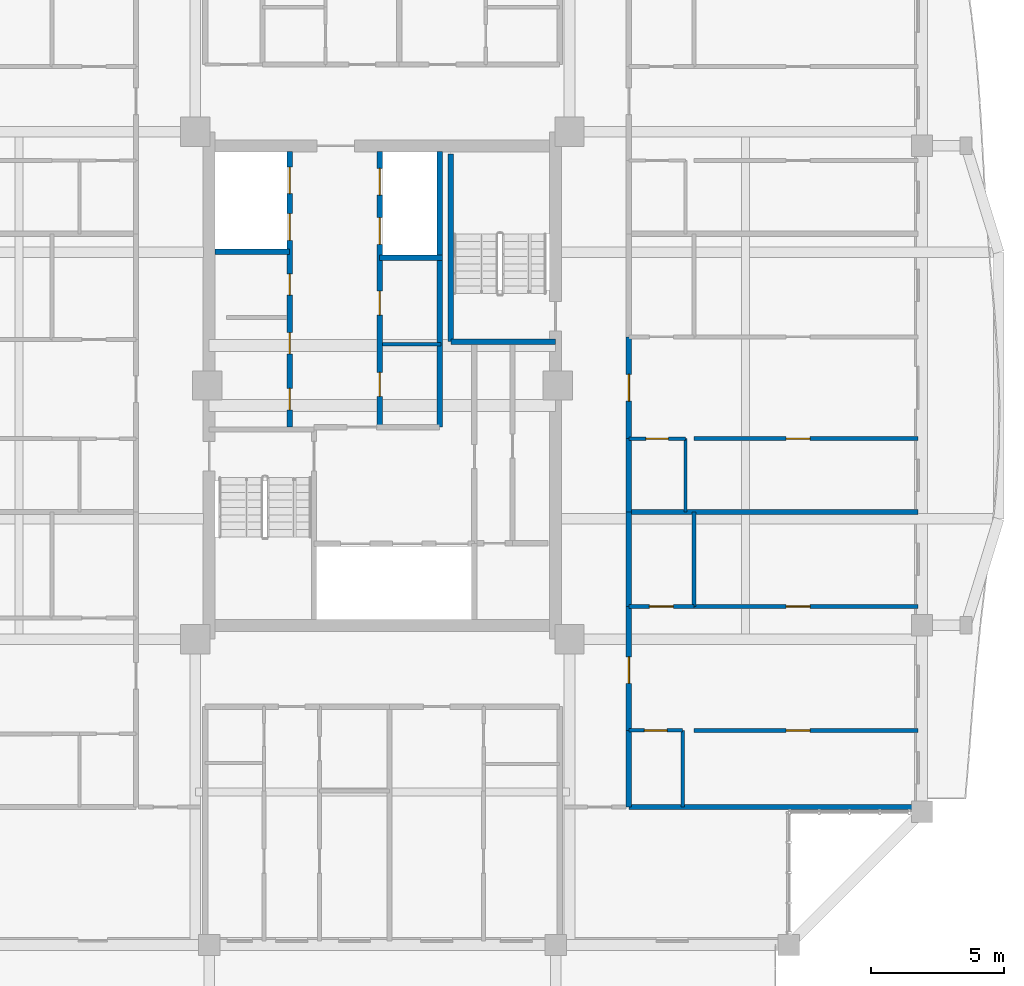
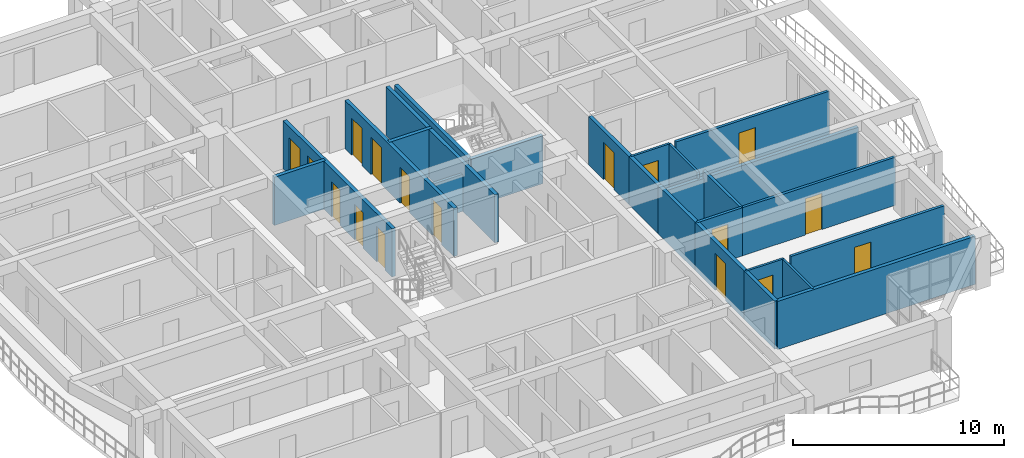
# One storey, part 13 of 22: 25 walls, 17 doors, 17 openings.
"""IFC4 building model written with IfcOpenShell, lengths in metres."""

from ifc_helpers import new_model, si_unit, direction, frame, frame_2d, origin, place, context, subcontext, project, spatial, rectangle, extrude, source, transform, mapped, material, layer, layer_set, type_object, element, fill, save


model = new_model("IFC4")

# Units and contexts
model_context = context("Model", 3, precision=1e-05, world=origin(), true_north=direction((0.0, 1.0)))
body_context = subcontext(model_context, "Body", "Model", "MODEL_VIEW")
ifc_project = project(units=[si_unit("LENGTHUNIT", "METRE"), si_unit("AREAUNIT", "SQUARE_METRE"), si_unit("VOLUMEUNIT", "CUBIC_METRE"), si_unit("PLANEANGLEUNIT", "RADIAN"), si_unit("MASSUNIT", "GRAM", prefix="KILO")], contexts=[model_context])

# Site, building, storey
site_placement = place(None, origin())
site = spatial("IfcSite", under=ifc_project, at=site_placement, CompositionType="ELEMENT")
building_placement = place(site_placement, origin())
building = spatial("IfcBuilding", under=site, at=building_placement, Name="Saelheon Loggia Tower", CompositionType="ELEMENT")
storey_placement = place(building_placement, frame((0.0, 0.0, 176.800048828125)))
storey = spatial("IfcBuildingStorey", under=building, at=storey_placement, Name="L55", CompositionType="ELEMENT", Elevation=176.800048828125)

# Walls
ifc_material_1 = material(Name="Lightweight Autoclaved Aerated Concrete Block and Acoustic Gypsum", Category="concrete")
ifc_layer_1 = layer(ifc_material_1, 0.14990234375)
ifc_layer_set_1 = layer_set([ifc_layer_1], Name="Lightweight Autoclaved Aerated Concrete Block and Acoustic Gypsum")
wall_type_1 = type_object("IfcWallType", Name="Wall_Part_150", PredefinedType="PARTITIONING", material=ifc_layer_set_1)
wall_1_placement = place(storey_placement, frame((38.0, 28.550048828125, 0.0), z_axis=(0.0, 0.0, 1.0), x_axis=(1.0, 0.0, 0.0)))
element("IfcWall", 1, at=wall_1_placement, inside=storey, type_object=wall_type_1, Name="L55 Freed Core Partition PM", PredefinedType="PARTITIONING", context=body_context, shape_type="SweptSolid", body=[
    extrude(rectangle(XDim=2.199951171875, YDim=0.14990234375, at=frame_2d((1.10009765625, 0.0))), origin(), (0.0, 0.0, 1.0), 2.139892578125),
])
wall_2_placement = place(storey_placement, frame((49.68994140625, 18.710205078125, 0.0), z_axis=(0.0, 0.0, 1.0), x_axis=(0.0, 1.0, 0.0)))
element("IfcWall", 2, at=wall_2_placement, inside=storey, type_object=wall_type_1, Name="L55 E Partition V07", PredefinedType="PARTITIONING", context=body_context, shape_type="SweptSolid", body=[
    extrude(rectangle(XDim=3.543701171875, YDim=0.14990234375, at=frame_2d((1.77197265625, 0.0))), origin(), (0.0, 0.0, 1.0), 2.7900390625),
])

# Wall, opening, door
wall_3_placement = place(storey_placement, frame((49.68994140625, 14.05908203125, 0.0), z_axis=(0.0, 0.0, 1.0), x_axis=(1.0, 0.0, 0.0)))
wall_3 = element("IfcWall", 3, at=wall_3_placement, inside=storey, type_object=wall_type_1, Name="L55 E Partition U09", PredefinedType="PARTITIONING", context=body_context, shape_type="SweptSolid", body=[
    extrude(rectangle(XDim=8.41015625, YDim=0.14990234375, at=frame_2d((4.205078125, 0.0))), origin(), (0.0, 0.0, 1.0), 2.7900390625),
])
opening_1_placement = place(wall_3_placement, frame((3.462158203125, 0.0, 0.0)))
opening_1 = element("IfcOpeningElement", 4, at=opening_1_placement, cuts=wall_3, Name="Opening D-IN2", PredefinedType="OPENING", context=body_context, shape_type="SweptSolid", body=[
    extrude(rectangle(XDim=0.89990234375, YDim=2.10009765625, at=frame_2d((0.449951171875, 1.050048828125))), frame((0.0, 0.0869140625, 0.0), z_axis=(0.0, -1.0, 0.0), x_axis=(1.0, 0.0, 0.0)), (0.0, 0.0, 1.0), 0.173828125),
])
ifc_material_2 = material(Name="Engineered Oak Flush Door", Category="timber")
door_type_1 = type_object("IfcDoorType", Name="Door_Int_900", OperationType="NOTDEFINED", PredefinedType="DOOR", material=ifc_material_2)
shared_shape_1 = source(origin(), body_context, "Body", "SweptSolid", [
    extrude(rectangle(XDim=0.89990234375, YDim=2.10009765625, at=frame_2d((0.449951171875, 1.050048828125))), frame((0.0, 0.02490234375, 0.0), z_axis=(0.0, -1.0, 0.0), x_axis=(1.0, 0.0, 0.0)), (0.0, 0.0, 1.0), 0.050048828125),
])
door_1_placement = place(opening_1_placement, origin())
door_1 = element("IfcDoor", 5, at=door_1_placement, inside=storey, type_object=door_type_1, Name="Unit U08 Bedroom 2 Door", OperationType="SINGLE_SWING_LEFT", OverallHeight=2.10009765625, OverallWidth=0.89990234375, PredefinedType="DOOR", context=body_context, shape_type="MappedRepresentation", body=[
    mapped(shared_shape_1, transform((0.0, 0.0, 0.0), scale=1.0)),
])
fill(opening_1, door_1)

wall_4_placement = place(storey_placement, frame((47.25, 18.710205078125, 0.0), z_axis=(0.0, 0.0, 1.0), x_axis=(1.0, 0.0, 0.0)))
wall_4 = element("IfcWall", 6, at=wall_4_placement, inside=storey, type_object=wall_type_1, Name="L55 E Partition U10", PredefinedType="PARTITIONING", context=body_context, shape_type="SweptSolid", body=[
    extrude(rectangle(XDim=2.43994140625, YDim=0.14990234375, at=frame_2d((1.219970703125, 0.0))), origin(), (0.0, 0.0, 1.0), 2.7900390625),
])
opening_2_placement = place(wall_4_placement, frame((0.77001953125, 0.0, 0.0)))
opening_2 = element("IfcOpeningElement", 7, at=opening_2_placement, cuts=wall_4, Name="Opening D-IN2", PredefinedType="OPENING", context=body_context, shape_type="SweptSolid", body=[
    extrude(rectangle(XDim=0.89990234375, YDim=2.10009765625, at=frame_2d((0.449951171875, 1.050048828125))), frame((0.0, 0.0869140625, 0.0), z_axis=(0.0, -1.0, 0.0), x_axis=(1.0, 0.0, 0.0)), (0.0, 0.0, 1.0), 0.173828125),
])
door_2_placement = place(opening_2_placement, origin())
door_2 = element("IfcDoor", 8, at=door_2_placement, inside=storey, type_object=door_type_1, Name="Unit U08 Kitchen Door", OperationType="SINGLE_SWING_RIGHT", OverallHeight=2.10009765625, OverallWidth=0.89990234375, PredefinedType="DOOR", context=body_context, shape_type="MappedRepresentation", body=[
    mapped(shared_shape_1, transform((0.0, 0.0, 0.0), scale=1.0)),
])
fill(opening_2, door_2)

wall_5_placement = place(storey_placement, frame((49.68994140625, 18.710205078125, 0.0), z_axis=(0.0, 0.0, 1.0), x_axis=(1.0, 0.0, 0.0)))
wall_5 = element("IfcWall", 9, at=wall_5_placement, inside=storey, type_object=wall_type_1, Name="L55 E Partition U11", PredefinedType="PARTITIONING", context=body_context, shape_type="SweptSolid", body=[
    extrude(rectangle(XDim=8.41015625, YDim=0.14990234375, at=frame_2d((4.205078125, 0.0))), origin(), (0.0, 0.0, 1.0), 2.7900390625),
])
opening_3_placement = place(wall_5_placement, frame((3.462158203125, 0.0, 0.0)))
opening_3 = element("IfcOpeningElement", 10, at=opening_3_placement, cuts=wall_5, Name="Opening D-IN2", PredefinedType="OPENING", context=body_context, shape_type="SweptSolid", body=[
    extrude(rectangle(XDim=0.89990234375, YDim=2.10009765625, at=frame_2d((0.449951171875, 1.050048828125))), frame((0.0, 0.0869140625, 0.0), z_axis=(0.0, -1.0, 0.0), x_axis=(1.0, 0.0, 0.0)), (0.0, 0.0, 1.0), 0.173828125),
])
door_3_placement = place(opening_3_placement, origin())
door_3 = element("IfcDoor", 11, at=door_3_placement, inside=storey, type_object=door_type_1, Name="Unit U08 Bedroom 1 Door", OperationType="SINGLE_SWING_LEFT", OverallHeight=2.10009765625, OverallWidth=0.89990234375, PredefinedType="DOOR", context=body_context, shape_type="MappedRepresentation", body=[
    mapped(shared_shape_1, transform((0.0, 0.0, 0.0), scale=1.0)),
])
fill(opening_3, door_3)

wall_6_placement = place(storey_placement, frame((49.68994140625, 25.00390625, 0.0), z_axis=(0.0, 0.0, 1.0), x_axis=(1.0, 0.0, 0.0)))
wall_6 = element("IfcWall", 12, at=wall_6_placement, inside=storey, type_object=wall_type_1, Name="L55 E Partition U19", PredefinedType="PARTITIONING", context=body_context, shape_type="SweptSolid", body=[
    extrude(rectangle(XDim=8.41015625, YDim=0.14990234375, at=frame_2d((4.205078125, 0.0))), origin(), (0.0, 0.0, 1.0), 2.7900390625),
])
opening_4_placement = place(wall_6_placement, frame((3.462158203125, 0.0, 0.0)))
opening_4 = element("IfcOpeningElement", 13, at=opening_4_placement, cuts=wall_6, Name="Opening D-IN2", PredefinedType="OPENING", context=body_context, shape_type="SweptSolid", body=[
    extrude(rectangle(XDim=0.89990234375, YDim=2.10009765625, at=frame_2d((0.449951171875, 1.050048828125))), frame((0.0, 0.0869140625, 0.0), z_axis=(0.0, -1.0, 0.0), x_axis=(1.0, 0.0, 0.0)), (0.0, 0.0, 1.0), 0.173828125),
])
door_4_placement = place(opening_4_placement, origin())
door_4 = element("IfcDoor", 14, at=door_4_placement, inside=storey, type_object=door_type_1, Name="Unit U09 Kitchen Door", OperationType="SINGLE_SWING_RIGHT", OverallHeight=2.10009765625, OverallWidth=0.89990234375, PredefinedType="DOOR", context=body_context, shape_type="MappedRepresentation", body=[
    mapped(shared_shape_1, transform((0.0, 0.0, 0.0), scale=1.0)),
])
fill(opening_4, door_4)

# Walls
ifc_material_3 = material(Name="Double Acoustic Stud and Fireboard Partition", Category="gypsum")
ifc_layer_2 = layer(ifc_material_3, 0.199951171875)
ifc_layer_set_2 = layer_set([ifc_layer_2], Name="Double Acoustic Stud and Fireboard Partition")
wall_type_2 = type_object("IfcWallType", Name="Wall_Party_200", PredefinedType="PARTITIONING", material=ifc_layer_set_2)
wall_7_placement = place(storey_placement, frame((47.25, 11.179931640625, 0.0), z_axis=(0.0, 0.0, 1.0), x_axis=(1.0, 0.0, 0.0)))
element("IfcWall", 15, at=wall_7_placement, inside=storey, type_object=wall_type_2, Name="L55 E Partition U01", PredefinedType="PARTITIONING", context=body_context, shape_type="SweptSolid", body=[
    extrude(rectangle(XDim=10.85009765625, YDim=0.199951171875, at=frame_2d((5.425048828125, 0.0))), origin(), (0.0, 0.0, 1.0), 2.7900390625),
])
wall_8_placement = place(storey_placement, frame((47.25, 11.179931640625, 0.0), z_axis=(0.0, 0.0, 1.0), x_axis=(0.0, 1.0, 0.0)))
element("IfcWall", 16, at=wall_8_placement, inside=storey, type_object=wall_type_2, Name="L55 E Partition V03", PredefinedType="PARTITIONING", context=body_context, shape_type="SweptSolid", body=[
    extrude(rectangle(XDim=2.879150390625, YDim=0.199951171875, at=frame_2d((1.439453125, 0.0))), origin(), (0.0, 0.0, 1.0), 2.7900390625),
])

# Wall, opening, door
wall_9_placement = place(storey_placement, frame((47.25, 14.05908203125, 0.0), z_axis=(0.0, 0.0, 1.0), x_axis=(0.0, 1.0, 0.0)))
wall_9 = element("IfcWall", 17, at=wall_9_placement, inside=storey, type_object=wall_type_2, Name="L55 E Partition V04", PredefinedType="PARTITIONING", context=body_context, shape_type="SweptSolid", body=[
    extrude(rectangle(XDim=4.651123046875, YDim=0.199951171875, at=frame_2d((2.32568359375, 0.0))), origin(), (0.0, 0.0, 1.0), 2.7900390625),
])
opening_5_placement = place(wall_9_placement, frame((1.76025390625, 0.0, 0.0)))
opening_5 = element("IfcOpeningElement", 18, at=opening_5_placement, cuts=wall_9, Name="Opening D-FD1", PredefinedType="OPENING", context=body_context, shape_type="SweptSolid", body=[
    extrude(rectangle(XDim=1.0, YDim=2.14990234375, at=frame_2d((0.5, 1.074951171875))), frame((0.0, 0.112060546875, 0.0), z_axis=(0.0, -1.0, 0.0), x_axis=(1.0, 0.0, 0.0)), (0.0, 0.0, 1.0), 0.223876953125),
])
ifc_material_4 = material(Name="Fire-Rated Engineered Timber Entrance Door", Category="wood")
door_type_2 = type_object("IfcDoorType", Name="Door_Flat_FD30S", OperationType="NOTDEFINED", PredefinedType="DOOR", material=ifc_material_4)
shared_shape_2 = source(origin(), body_context, "Body", "SweptSolid", [
    extrude(rectangle(XDim=1.0, YDim=2.14990234375, at=frame_2d((0.5, 1.074951171875))), frame((0.0, 0.02490234375, 0.0), z_axis=(0.0, -1.0, 0.0), x_axis=(1.0, 0.0, 0.0)), (0.0, 0.0, 1.0), 0.050048828125),
])
door_5_placement = place(opening_5_placement, origin())
door_5 = element("IfcDoor", 19, at=door_5_placement, inside=storey, type_object=door_type_2, Name="Unit U08 Entrance Door", OperationType="SINGLE_SWING_LEFT", OverallHeight=2.14990234375, OverallWidth=1.0, PredefinedType="DOOR", context=body_context, shape_type="MappedRepresentation", body=[
    mapped(shared_shape_2, transform((0.0, 0.0, 0.0), scale=1.0)),
])
fill(opening_5, door_5)

# Walls
wall_10_placement = place(storey_placement, frame((47.25, 18.710205078125, 0.0), z_axis=(0.0, 0.0, 1.0), x_axis=(0.0, 1.0, 0.0)))
element("IfcWall", 20, at=wall_10_placement, inside=storey, type_object=wall_type_2, Name="L55 E Partition V05", PredefinedType="PARTITIONING", context=body_context, shape_type="SweptSolid", body=[
    extrude(rectangle(XDim=3.543701171875, YDim=0.199951171875, at=frame_2d((1.77197265625, 0.0))), origin(), (0.0, 0.0, 1.0), 2.7900390625),
])
wall_11_placement = place(storey_placement, frame((47.25, 22.25390625, 0.0), z_axis=(0.0, 0.0, 1.0), x_axis=(1.0, 0.0, 0.0)))
element("IfcWall", 21, at=wall_11_placement, inside=storey, type_object=wall_type_2, Name="L55 E Partition U12", PredefinedType="PARTITIONING", context=body_context, shape_type="SweptSolid", body=[
    extrude(rectangle(XDim=10.85009765625, YDim=0.199951171875, at=frame_2d((5.425048828125, 0.0))), origin(), (0.0, 0.0, 1.0), 2.389892578125),
])
wall_12_placement = place(storey_placement, frame((47.25, 22.25390625, 0.0), z_axis=(0.0, 0.0, 1.0), x_axis=(0.0, 1.0, 0.0)))
element("IfcWall", 22, at=wall_12_placement, inside=storey, type_object=wall_type_2, Name="L55 E Partition V13", PredefinedType="PARTITIONING", context=body_context, shape_type="SweptSolid", body=[
    extrude(rectangle(XDim=2.75, YDim=0.199951171875, at=frame_2d((1.375, 0.0))), origin(), (0.0, 0.0, 1.0), 2.7900390625),
])

# Wall, opening, door
wall_13_placement = place(storey_placement, frame((47.25, 25.00390625, 0.0), z_axis=(0.0, 0.0, 1.0), x_axis=(0.0, 1.0, 0.0)))
wall_13 = element("IfcWall", 23, at=wall_13_placement, inside=storey, type_object=wall_type_2, Name="L55 E Partition V14", PredefinedType="PARTITIONING", context=body_context, shape_type="SweptSolid", body=[
    extrude(rectangle(XDim=3.826904296875, YDim=0.199951171875, at=frame_2d((1.91357421875, 0.0))), origin(), (0.0, 0.0, 1.0), 2.7900390625),
])
opening_6_placement = place(wall_13_placement, frame((1.413330078125, 0.0, 0.0)))
opening_6 = element("IfcOpeningElement", 24, at=opening_6_placement, cuts=wall_13, Name="Opening D-FD1", PredefinedType="OPENING", context=body_context, shape_type="SweptSolid", body=[
    extrude(rectangle(XDim=1.0, YDim=2.14990234375, at=frame_2d((0.5, 1.074951171875))), frame((0.0, 0.112060546875, 0.0), z_axis=(0.0, -1.0, 0.0), x_axis=(1.0, 0.0, 0.0)), (0.0, 0.0, 1.0), 0.223876953125),
])
door_6_placement = place(opening_6_placement, origin())
door_6 = element("IfcDoor", 25, at=door_6_placement, inside=storey, type_object=door_type_2, Name="Unit U09 Entrance Door", OperationType="SINGLE_SWING_RIGHT", OverallHeight=2.14990234375, OverallWidth=1.0, PredefinedType="DOOR", context=body_context, shape_type="MappedRepresentation", body=[
    mapped(shared_shape_2, transform((0.0, 0.0, 0.0), scale=1.0)),
])
fill(opening_6, door_6)

# Walls
ifc_material_5 = material(Name="Concrete C40/50", Category="concrete")
ifc_layer_3 = layer(ifc_material_5, 0.199951171875)
ifc_layer_set_3 = layer_set([ifc_layer_3], Name="Concrete C40/50")
wall_type_3 = type_object("IfcWallType", Name="Wall_Shaft_200", PredefinedType="PARTITIONING", material=ifc_layer_set_3)
wall_14_placement = place(storey_placement, frame((40.14990234375, 25.43994140625, 0.0), z_axis=(0.0, 0.0, 1.0), x_axis=(0.0, 1.0, 0.0)))
element("IfcWall", 26, at=wall_14_placement, inside=storey, type_object=wall_type_3, Name="L55 Core Service Passage West Wall", PredefinedType="PARTITIONING", context=body_context, shape_type="SweptSolid", body=[
    extrude(rectangle(XDim=6.360107421875, YDim=0.199951171875, at=frame_2d((3.18017578125, 0.0))), origin(), (0.0, 0.0, 1.0), 2.7900390625),
])
wall_15_placement = place(storey_placement, frame((40.14990234375, 31.800048828125, 0.0), z_axis=(0.0, 0.0, 1.0), x_axis=(0.0, 1.0, 0.0)))
element("IfcWall", 27, at=wall_15_placement, inside=storey, type_object=wall_type_3, Name="L55 East High-Rise Hoistway East Wall", PredefinedType="PARTITIONING", context=body_context, shape_type="SweptSolid", body=[
    extrude(rectangle(XDim=3.97998046875, YDim=0.199951171875, at=frame_2d((1.989990234375, 0.0))), origin(), (0.0, 0.0, 1.0), 2.7900390625),
])

# Wall, openings, doors
wall_16_placement = place(storey_placement, frame((34.52001953125, 25.43994140625, 0.0), z_axis=(0.0, 0.0, 1.0), x_axis=(0.0, 1.0, 0.0)))
wall_16 = element("IfcWall", 28, at=wall_16_placement, inside=storey, type_object=wall_type_3, Name="L55 West Passenger Lift Bank Wall", PredefinedType="PARTITIONING", context=body_context, shape_type="SweptSolid", body=[
    extrude(rectangle(XDim=10.340087890625, YDim=0.199951171875, at=frame_2d((5.169921875, 0.0))), origin(), (0.0, 0.0, 1.0), 2.7900390625),
])
opening_7_placement = place(wall_16_placement, frame((0.64990234375, 0.0, 0.0)))
opening_7 = element("IfcOpeningElement", 29, at=opening_7_placement, cuts=wall_16, Name="Opening D-ST1", PredefinedType="OPENING", context=body_context, shape_type="SweptSolid", body=[
    extrude(rectangle(XDim=0.800048828125, YDim=2.050048828125, at=frame_2d((0.39990234375, 1.02490234375))), frame((0.0, 0.112060546875, 0.0), z_axis=(0.0, -1.0, 0.0), x_axis=(1.0, 0.0, 0.0)), (0.0, 0.0, 1.0), 0.223876953125),
])
opening_8_placement = place(wall_16_placement, frame((2.75, 0.0, 0.0)))
opening_8 = element("IfcOpeningElement", 30, at=opening_8_placement, cuts=wall_16, Name="Opening D-ST1", PredefinedType="OPENING", context=body_context, shape_type="SweptSolid", body=[
    extrude(rectangle(XDim=0.800048828125, YDim=2.050048828125, at=frame_2d((0.39990234375, 1.02490234375))), frame((0.0, 0.112060546875, 0.0), z_axis=(0.0, -1.0, 0.0), x_axis=(1.0, 0.0, 0.0)), (0.0, 0.0, 1.0), 0.223876953125),
])
opening_9_placement = place(wall_16_placement, frame((4.949951171875, 0.0, 0.0)))
opening_9 = element("IfcOpeningElement", 31, at=opening_9_placement, cuts=wall_16, Name="Opening D-ST1", PredefinedType="OPENING", context=body_context, shape_type="SweptSolid", body=[
    extrude(rectangle(XDim=0.800048828125, YDim=2.050048828125, at=frame_2d((0.39990234375, 1.02490234375))), frame((0.0, 0.112060546875, 0.0), z_axis=(0.0, -1.0, 0.0), x_axis=(1.0, 0.0, 0.0)), (0.0, 0.0, 1.0), 0.223876953125),
])
opening_10_placement = place(wall_16_placement, frame((7.010009765625, 0.0, 0.0)))
opening_10 = element("IfcOpeningElement", 32, at=opening_10_placement, cuts=wall_16, Name="Opening LD1", PredefinedType="OPENING", context=body_context, shape_type="SweptSolid", body=[
    extrude(rectangle(XDim=1.0, YDim=2.14990234375, at=frame_2d((0.5, 1.074951171875))), frame((0.0, 0.112060546875, 0.0), z_axis=(0.0, -1.0, 0.0), x_axis=(1.0, 0.0, 0.0)), (0.0, 0.0, 1.0), 0.223876953125),
])
opening_11_placement = place(wall_16_placement, frame((8.760009765625, 0.0, 0.0)))
opening_11 = element("IfcOpeningElement", 33, at=opening_11_placement, cuts=wall_16, Name="Opening LD1", PredefinedType="OPENING", context=body_context, shape_type="SweptSolid", body=[
    extrude(rectangle(XDim=1.0, YDim=2.14990234375, at=frame_2d((0.5, 1.074951171875))), frame((0.0, 0.112060546875, 0.0), z_axis=(0.0, -1.0, 0.0), x_axis=(1.0, 0.0, 0.0)), (0.0, 0.0, 1.0), 0.223876953125),
])
ifc_material_6 = material(Name="Brushed Stainless Steel 304 Landing Door", Category="steel")
door_type_3 = type_object("IfcDoorType", Name="Door_Lift_LD1", OperationType="DOUBLE_DOOR_SLIDING", PredefinedType="DOOR", material=ifc_material_6)
door_7_placement = place(opening_10_placement, origin())
door_7 = element("IfcDoor", 34, at=door_7_placement, inside=storey, type_object=door_type_3, Name="L55 PH1 Landing Door", OperationType="DOUBLE_DOOR_SLIDING", OverallHeight=2.14990234375, OverallWidth=1.0, PredefinedType="DOOR", context=body_context, shape_type="MappedRepresentation", body=[
    mapped(shared_shape_2, transform((0.0, 0.0, 0.0), scale=1.0)),
])
fill(opening_10, door_7)
door_8_placement = place(opening_11_placement, origin())
door_8 = element("IfcDoor", 35, at=door_8_placement, inside=storey, type_object=door_type_3, Name="L55 PH2 Landing Door", OperationType="DOUBLE_DOOR_SLIDING", OverallHeight=2.14990234375, OverallWidth=1.0, PredefinedType="DOOR", context=body_context, shape_type="MappedRepresentation", body=[
    mapped(shared_shape_2, transform((0.0, 0.0, 0.0), scale=1.0)),
])
fill(opening_11, door_8)
ifc_material_7 = material(Name="Powder-Coated Steel Store Door", Category="steel")
door_type_4 = type_object("IfcDoorType", Name="Door_Store_800", OperationType="NOTDEFINED", PredefinedType="DOOR", material=ifc_material_7)
shared_shape_3 = source(origin(), body_context, "Body", "SweptSolid", [
    extrude(rectangle(XDim=0.800048828125, YDim=2.050048828125, at=frame_2d((0.39990234375, 1.02490234375))), frame((0.0, 0.02490234375, 0.0), z_axis=(0.0, -1.0, 0.0), x_axis=(1.0, 0.0, 0.0)), (0.0, 0.0, 1.0), 0.050048828125),
])
door_9_placement = place(opening_7_placement, origin())
door_9 = element("IfcDoor", 36, at=door_9_placement, inside=storey, type_object=door_type_4, Name="L55 Telecom Store Door", OperationType="SINGLE_SWING_RIGHT", OverallHeight=2.050048828125, OverallWidth=0.800048828125, PredefinedType="DOOR", context=body_context, shape_type="MappedRepresentation", body=[
    mapped(shared_shape_3, transform((0.0, 0.0, 0.0), scale=1.0)),
])
fill(opening_7, door_9)
door_10_placement = place(opening_8_placement, origin())
door_10 = element("IfcDoor", 37, at=door_10_placement, inside=storey, type_object=door_type_4, Name="L55 Linen Closet Door", OperationType="SINGLE_SWING_LEFT", OverallHeight=2.050048828125, OverallWidth=0.800048828125, PredefinedType="DOOR", context=body_context, shape_type="MappedRepresentation", body=[
    mapped(shared_shape_3, transform((0.0, 0.0, 0.0), scale=1.0)),
])
fill(opening_8, door_10)
door_11_placement = place(opening_9_placement, origin())
door_11 = element("IfcDoor", 38, at=door_11_placement, inside=storey, type_object=door_type_4, Name="L55 Metering Store Door", OperationType="SINGLE_SWING_RIGHT", OverallHeight=2.050048828125, OverallWidth=0.800048828125, PredefinedType="DOOR", context=body_context, shape_type="MappedRepresentation", body=[
    mapped(shared_shape_3, transform((0.0, 0.0, 0.0), scale=1.0)),
])
fill(opening_9, door_11)

# Wall
wall_17_placement = place(storey_placement, frame((31.719970703125, 32.02001953125, 0.0), z_axis=(0.0, 0.0, 1.0), x_axis=(1.0, 0.0, 0.0)))
element("IfcWall", 39, at=wall_17_placement, inside=storey, type_object=wall_type_3, Name="L55 West High-Rise Shaft Divider", PredefinedType="PARTITIONING", context=body_context, shape_type="SweptSolid", body=[
    extrude(rectangle(XDim=2.800048828125, YDim=0.199951171875, at=frame_2d((1.39990234375, 0.0))), origin(), (0.0, 0.0, 1.0), 2.7900390625),
])

# Wall, openings, doors
wall_18_placement = place(storey_placement, frame((37.89990234375, 25.43994140625, 0.0), z_axis=(0.0, 0.0, 1.0), x_axis=(0.0, 1.0, 0.0)))
wall_18 = element("IfcWall", 40, at=wall_18_placement, inside=storey, type_object=wall_type_3, Name="L55 East Passenger Lift Bank Wall", PredefinedType="PARTITIONING", context=body_context, shape_type="SweptSolid", body=[
    extrude(rectangle(XDim=10.340087890625, YDim=0.199951171875, at=frame_2d((5.169921875, 0.0))), origin(), (0.0, 0.0, 1.0), 2.7900390625),
])
opening_12_placement = place(wall_18_placement, frame((1.14990234375, 0.0, 0.0)))
opening_12 = element("IfcOpeningElement", 41, at=opening_12_placement, cuts=wall_18, Name="Opening D-RS1", PredefinedType="OPENING", context=body_context, shape_type="SweptSolid", body=[
    extrude(rectangle(XDim=0.89990234375, YDim=2.10009765625, at=frame_2d((0.449951171875, 1.050048828125))), frame((0.0, 0.112060546875, 0.0), z_axis=(0.0, -1.0, 0.0), x_axis=(1.0, 0.0, 0.0)), (0.0, 0.0, 1.0), 0.223876953125),
])
opening_13_placement = place(wall_18_placement, frame((4.199951171875, 0.0, 0.0)))
opening_13 = element("IfcOpeningElement", 42, at=opening_13_placement, cuts=wall_18, Name="Opening D-RS1", PredefinedType="OPENING", context=body_context, shape_type="SweptSolid", body=[
    extrude(rectangle(XDim=0.89990234375, YDim=2.10009765625, at=frame_2d((0.449951171875, 1.050048828125))), frame((0.0, 0.112060546875, 0.0), z_axis=(0.0, -1.0, 0.0), x_axis=(1.0, 0.0, 0.0)), (0.0, 0.0, 1.0), 0.223876953125),
])
opening_14_placement = place(wall_18_placement, frame((6.860107421875, 0.0, 0.0)))
opening_14 = element("IfcOpeningElement", 43, at=opening_14_placement, cuts=wall_18, Name="Opening LD1", PredefinedType="OPENING", context=body_context, shape_type="SweptSolid", body=[
    extrude(rectangle(XDim=1.0, YDim=2.14990234375, at=frame_2d((0.5, 1.074951171875))), frame((0.0, 0.112060546875, 0.0), z_axis=(0.0, -1.0, 0.0), x_axis=(1.0, 0.0, 0.0)), (0.0, 0.0, 1.0), 0.223876953125),
])
opening_15_placement = place(wall_18_placement, frame((8.7099609375, 0.0, 0.0)))
opening_15 = element("IfcOpeningElement", 44, at=opening_15_placement, cuts=wall_18, Name="Opening LD1", PredefinedType="OPENING", context=body_context, shape_type="SweptSolid", body=[
    extrude(rectangle(XDim=1.0, YDim=2.14990234375, at=frame_2d((0.5, 1.074951171875))), frame((0.0, 0.112060546875, 0.0), z_axis=(0.0, -1.0, 0.0), x_axis=(1.0, 0.0, 0.0)), (0.0, 0.0, 1.0), 0.223876953125),
])
ifc_material_8 = material(Name="Galvanised Steel Riser Access Door", Category="steel")
door_type_5 = type_object("IfcDoorType", Name="Door_Riser_FD60", OperationType="NOTDEFINED", PredefinedType="DOOR", material=ifc_material_8)
door_12_placement = place(opening_12_placement, origin())
door_12 = element("IfcDoor", 45, at=door_12_placement, inside=storey, type_object=door_type_5, Name="L55 Upper Housekeeping Door", OperationType="SINGLE_SWING_LEFT", OverallHeight=2.10009765625, OverallWidth=0.89990234375, PredefinedType="DOOR", context=body_context, shape_type="MappedRepresentation", body=[
    mapped(shared_shape_1, transform((0.0, 0.0, 0.0), scale=1.0)),
])
fill(opening_12, door_12)
door_13_placement = place(opening_13_placement, origin())
door_13 = element("IfcDoor", 46, at=door_13_placement, inside=storey, type_object=door_type_5, Name="L55 Upper Pantry Door", OperationType="SINGLE_SWING_RIGHT", OverallHeight=2.10009765625, OverallWidth=0.89990234375, PredefinedType="DOOR", context=body_context, shape_type="MappedRepresentation", body=[
    mapped(shared_shape_1, transform((0.0, 0.0, 0.0), scale=1.0)),
])
fill(opening_13, door_13)
door_14_placement = place(opening_14_placement, origin())
door_14 = element("IfcDoor", 47, at=door_14_placement, inside=storey, type_object=door_type_3, Name="L55 PH3 Landing Door", OperationType="DOUBLE_DOOR_SLIDING", OverallHeight=2.14990234375, OverallWidth=1.0, PredefinedType="DOOR", context=body_context, shape_type="MappedRepresentation", body=[
    mapped(shared_shape_2, transform((0.0, 0.0, 0.0), scale=1.0)),
])
fill(opening_14, door_14)
door_15_placement = place(opening_15_placement, origin())
door_15 = element("IfcDoor", 48, at=door_15_placement, inside=storey, type_object=door_type_3, Name="L55 PH4 Landing Door", OperationType="DOUBLE_DOOR_SLIDING", OverallHeight=2.14990234375, OverallWidth=1.0, PredefinedType="DOOR", context=body_context, shape_type="MappedRepresentation", body=[
    mapped(shared_shape_2, transform((0.0, 0.0, 0.0), scale=1.0)),
])
fill(opening_15, door_15)

# Walls
wall_19_placement = place(storey_placement, frame((37.89990234375, 31.800048828125, 0.0), z_axis=(0.0, 0.0, 1.0), x_axis=(1.0, 0.0, 0.0)))
element("IfcWall", 49, at=wall_19_placement, inside=storey, type_object=wall_type_3, Name="L55 East High-Rise Shaft Divider", PredefinedType="PARTITIONING", context=body_context, shape_type="SweptSolid", body=[
    extrude(rectangle(XDim=2.35009765625, YDim=0.199951171875, at=frame_2d((1.175048828125, 0.0))), origin(), (0.0, 0.0, 1.0), 2.7900390625),
])
ifc_material_9 = material(Name="Concrete C45/55", Category="concrete")
ifc_layer_4 = layer(ifc_material_9, 0.199951171875)
ifc_layer_set_4 = layer_set([ifc_layer_4], Name="Concrete C45/55")
wall_type_4 = type_object("IfcWallType", Name="Wall_StairShaft_RC200", PredefinedType="SOLIDWALL", material=ifc_layer_set_4)
wall_20_placement = place(storey_placement, frame((40.570068359375, 28.64990234375, 0.0), z_axis=(0.0, 0.0, 1.0), x_axis=(0.0, 1.0, 0.0)))
element("IfcWall", 50, at=wall_20_placement, inside=storey, type_object=wall_type_4, Name="L55 Stair ST2 Shaft Wall", PredefinedType="SOLIDWALL", context=body_context, shape_type="SweptSolid", body=[
    extrude(rectangle(XDim=7.050048828125, YDim=0.199951171875, at=frame_2d((3.52490234375, 0.0))), origin(), (0.0, 0.0, 1.0), 2.7900390625),
])
wall_21_placement = place(storey_placement, frame((40.570068359375, 28.64990234375, 0.0), z_axis=(0.0, 0.0, 1.0), x_axis=(1.0, 0.0, 0.0)))
element("IfcWall", 51, at=wall_21_placement, inside=storey, type_object=wall_type_4, Name="L55 Stair ST2 South Wall", PredefinedType="SOLIDWALL", context=body_context, shape_type="SweptSolid", body=[
    extrude(rectangle(XDim=3.929931640625, YDim=0.199951171875, at=frame_2d((1.96484375, 0.0))), origin(), (0.0, 0.0, 1.0), 2.7900390625),
])
ifc_material_10 = material(Name="Moisture-Resistant Cement Board Partition", Category="gypsum")
ifc_layer_5 = layer(ifc_material_10, 0.1201171875)
ifc_layer_set_5 = layer_set([ifc_layer_5], Name="Moisture-Resistant Cement Board Partition")
wall_type_5 = type_object("IfcWallType", Name="Wall_WetPart_120", PredefinedType="PARTITIONING", material=ifc_layer_set_5)
wall_22_placement = place(storey_placement, frame((49.27001953125, 11.179931640625, 0.0), z_axis=(0.0, 0.0, 1.0), x_axis=(0.0, 1.0, 0.0)))
element("IfcWall", 52, at=wall_22_placement, inside=storey, type_object=wall_type_5, Name="L55 E Partition V06", PredefinedType="PARTITIONING", context=body_context, shape_type="SweptSolid", body=[
    extrude(rectangle(XDim=2.879150390625, YDim=0.1201171875, at=frame_2d((1.439453125, 0.0))), origin(), (0.0, 0.0, 1.0), 2.7900390625),
])

# Wall, opening, door
wall_23_placement = place(storey_placement, frame((47.25, 14.05908203125, 0.0), z_axis=(0.0, 0.0, 1.0), x_axis=(1.0, 0.0, 0.0)))
wall_23 = element("IfcWall", 53, at=wall_23_placement, inside=storey, type_object=wall_type_5, Name="L55 E Partition U08", PredefinedType="PARTITIONING", context=body_context, shape_type="SweptSolid", body=[
    extrude(rectangle(XDim=2.02001953125, YDim=0.1201171875, at=frame_2d((1.010009765625, 0.0))), origin(), (0.0, 0.0, 1.0), 2.7900390625),
])
opening_16_placement = place(wall_23_placement, frame((0.5849609375, 0.0, 0.0)))
opening_16 = element("IfcOpeningElement", 54, at=opening_16_placement, cuts=wall_23, Name="Opening D-BT1", PredefinedType="OPENING", context=body_context, shape_type="SweptSolid", body=[
    extrude(rectangle(XDim=0.85009765625, YDim=2.050048828125, at=frame_2d((0.425048828125, 1.02490234375))), frame((0.0, 0.072021484375, 0.0), z_axis=(0.0, -1.0, 0.0), x_axis=(1.0, 0.0, 0.0)), (0.0, 0.0, 1.0), 0.14404296875),
])
ifc_material_11 = material(Name="Moisture-Resistant Laminate Timber Door", Category="wood")
door_type_6 = type_object("IfcDoorType", Name="Door_Bath_850", OperationType="NOTDEFINED", PredefinedType="DOOR", material=ifc_material_11)
shared_shape_4 = source(origin(), body_context, "Body", "SweptSolid", [
    extrude(rectangle(XDim=0.85009765625, YDim=2.050048828125, at=frame_2d((0.425048828125, 1.02490234375))), frame((0.0, 0.02490234375, 0.0), z_axis=(0.0, -1.0, 0.0), x_axis=(1.0, 0.0, 0.0)), (0.0, 0.0, 1.0), 0.050048828125),
])
door_16_placement = place(opening_16_placement, origin())
door_16 = element("IfcDoor", 55, at=door_16_placement, inside=storey, type_object=door_type_6, Name="Unit U08 Bathroom Door", OperationType="SINGLE_SWING_RIGHT", OverallHeight=2.050048828125, OverallWidth=0.85009765625, PredefinedType="DOOR", context=body_context, shape_type="MappedRepresentation", body=[
    mapped(shared_shape_4, transform((0.0, 0.0, 0.0), scale=1.0)),
])
fill(opening_16, door_16)

# Wall
wall_24_placement = place(storey_placement, frame((49.3701171875, 22.25390625, 0.0), z_axis=(0.0, 0.0, 1.0), x_axis=(0.0, 1.0, 0.0)))
element("IfcWall", 56, at=wall_24_placement, inside=storey, type_object=wall_type_5, Name="L55 E Partition V16", PredefinedType="PARTITIONING", context=body_context, shape_type="SweptSolid", body=[
    extrude(rectangle(XDim=2.75, YDim=0.1201171875, at=frame_2d((1.375, 0.0))), origin(), (0.0, 0.0, 1.0), 2.7900390625),
])

# Wall, opening, door
wall_25_placement = place(storey_placement, frame((47.25, 25.00390625, 0.0), z_axis=(0.0, 0.0, 1.0), x_axis=(1.0, 0.0, 0.0)))
wall_25 = element("IfcWall", 57, at=wall_25_placement, inside=storey, type_object=wall_type_5, Name="L55 E Partition U18", PredefinedType="PARTITIONING", context=body_context, shape_type="SweptSolid", body=[
    extrude(rectangle(XDim=2.1201171875, YDim=0.1201171875, at=frame_2d((1.06005859375, 0.0))), origin(), (0.0, 0.0, 1.0), 2.7900390625),
])
opening_17_placement = place(wall_25_placement, frame((0.635009765625, 0.0, 0.0)))
opening_17 = element("IfcOpeningElement", 58, at=opening_17_placement, cuts=wall_25, Name="Opening D-BT1", PredefinedType="OPENING", context=body_context, shape_type="SweptSolid", body=[
    extrude(rectangle(XDim=0.85009765625, YDim=2.050048828125, at=frame_2d((0.425048828125, 1.02490234375))), frame((0.0, 0.072021484375, 0.0), z_axis=(0.0, -1.0, 0.0), x_axis=(1.0, 0.0, 0.0)), (0.0, 0.0, 1.0), 0.14404296875),
])
door_17_placement = place(opening_17_placement, origin())
door_17 = element("IfcDoor", 59, at=door_17_placement, inside=storey, type_object=door_type_6, Name="Unit U09 Bathroom Door", OperationType="SINGLE_SWING_LEFT", OverallHeight=2.050048828125, OverallWidth=0.85009765625, PredefinedType="DOOR", context=body_context, shape_type="MappedRepresentation", body=[
    mapped(shared_shape_4, transform((0.0, 0.0, 0.0), scale=1.0)),
])
fill(opening_17, door_17)

save(model, "model.ifc")
